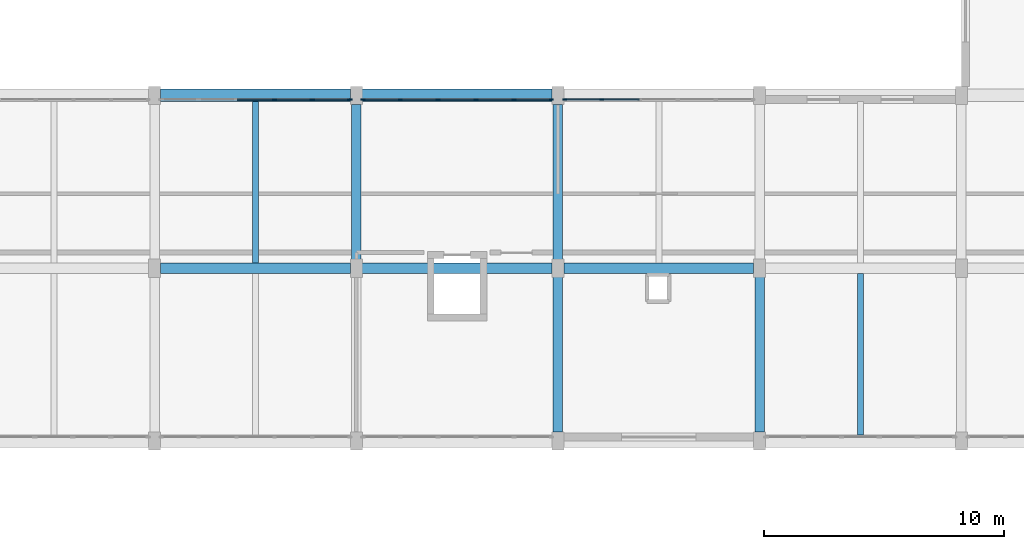
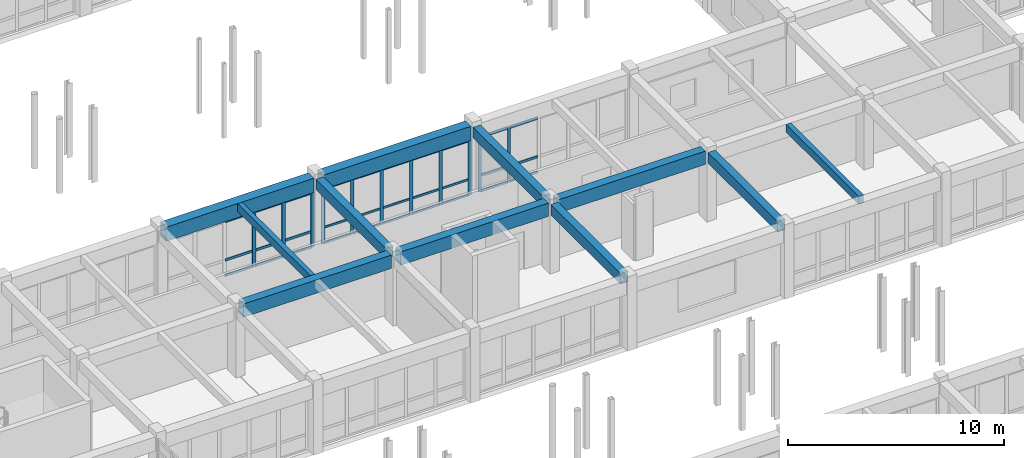
# One storey, part 72 of 147: 41 members, 11 beams, 3 elements without a shape of their own.
"""IFC4 building model written with IfcOpenShell, lengths in metres."""

from ifc_helpers import new_model, si_unit, direction, frame, origin, origin_2d, place, context, subcontext, project, spatial, rectangle, extrude, material, material_profile, profile_set, type_object, element, aggregate, save


model = new_model("IFC4")

# Units and contexts
model_context = context("Model", 3, precision=1e-05, world=origin(), true_north=direction((0.0, 1.0)))
body_context = subcontext(model_context, "Body", "Model", "MODEL_VIEW")
ifc_project = project(units=[si_unit("LENGTHUNIT", "METRE"), si_unit("AREAUNIT", "SQUARE_METRE"), si_unit("VOLUMEUNIT", "CUBIC_METRE"), si_unit("PLANEANGLEUNIT", "RADIAN"), si_unit("MASSUNIT", "GRAM", prefix="KILO")], contexts=[model_context])

# Site, building, storey
site_placement = place(None, origin())
site = spatial("IfcSite", under=ifc_project, at=site_placement, CompositionType="ELEMENT")
building_placement = place(site_placement, origin())
building = spatial("IfcBuilding", under=site, at=building_placement, Name="Malvenik Polytechnic", CompositionType="ELEMENT")
storey_placement = place(building_placement, frame((0.0, 0.0, 5.10009765625)))
storey = spatial("IfcBuildingStorey", under=building, at=storey_placement, Name="L01", CompositionType="ELEMENT", Elevation=5.10009765625)

# Curtain wall, members
ifc_material_1 = material(Name="Anodised aluminium 6060-T6", Category="aluminium")
curtain_wall_type = type_object("IfcCurtainWallType", Name="ARC-CW-CW-02", PredefinedType="NOTDEFINED", material=ifc_material_1)
curtain_wall_1_placement = place(storey_placement, origin())
curtain_wall_1 = element("IfcCurtainWall", 1, at=curtain_wall_1_placement, inside=storey, type_object=curtain_wall_type, Name="Unitised Curtain Wall CW-02 L01 #62", PredefinedType="NOTDEFINED")
ifc_material_2 = material(Name="Anodised aluminium", Category="aluminium")
ifc_material_profile_1 = material_profile(ifc_material_2, rectangle(XDim=0.06005859375, YDim=0.159912109375, at=origin_2d()), Name="ALU MULLION 60x160")
ifc_profile_set_1 = profile_set([ifc_material_profile_1], Name="Anodised aluminium")
member_type_1 = type_object("IfcMemberType", Name="ARC-CWM-160", PredefinedType="MULLION", material=ifc_profile_set_1)
member_1_placement = place(storey_placement, frame((109.47802734375, 93.429931640625, 0.0), z_axis=(0.0, 0.0, 1.0), x_axis=(0.0, 1.0, 0.0)))
member_1 = element("IfcMember", 2, at=member_1_placement, type_object=member_type_1, Name="CW-02 mullion 1", PredefinedType="MULLION", context=body_context, shape_type="SweptSolid", body=[
    extrude(rectangle(XDim=0.06005859375, YDim=0.159912109375, at=origin_2d()), origin(), (0.0, 0.0, 1.0), 3.10986328125),
])
member_2_placement = place(storey_placement, frame((111.02880859375, 93.429931640625, 0.0), z_axis=(0.0, 0.0, 1.0), x_axis=(0.0, 1.0, 0.0)))
member_2 = element("IfcMember", 3, at=member_2_placement, type_object=member_type_1, Name="CW-02 mullion 2", PredefinedType="MULLION", context=body_context, shape_type="SweptSolid", body=[
    extrude(rectangle(XDim=0.06005859375, YDim=0.159912109375, at=origin_2d()), origin(), (0.0, 0.0, 1.0), 3.10986328125),
])

curtain_wall_2_placement = place(storey_placement, origin())
curtain_wall_2 = element("IfcCurtainWall", 4, at=curtain_wall_2_placement, inside=storey, type_object=curtain_wall_type, Name="Unitised Curtain Wall CW-02 L01 #61", PredefinedType="NOTDEFINED")
ifc_material_profile_2 = material_profile(ifc_material_2, rectangle(XDim=0.06005859375, YDim=0.179931640625, at=origin_2d()), Name="ALU MULLION 60x180")
ifc_profile_set_2 = profile_set([ifc_material_profile_2], Name="Anodised aluminium")
member_type_2 = type_object("IfcMemberType", Name="ARC-CWM-180", PredefinedType="MULLION", material=ifc_profile_set_2)
member_3_placement = place(storey_placement, frame((101.077880859375, 93.429931640625, 0.0), z_axis=(0.0, 0.0, 1.0), x_axis=(0.0, 1.0, 0.0)))
member_3 = element("IfcMember", 5, at=member_3_placement, type_object=member_type_2, Name="CW-02 mullion 1", PredefinedType="MULLION", context=body_context, shape_type="SweptSolid", body=[
    extrude(rectangle(XDim=0.06005859375, YDim=0.179931640625, at=origin_2d()), origin(), (0.0, 0.0, 1.0), 3.10986328125),
])
member_4_placement = place(storey_placement, frame((102.62890625, 93.429931640625, 0.0), z_axis=(0.0, 0.0, 1.0), x_axis=(0.0, 1.0, 0.0)))
member_4 = element("IfcMember", 6, at=member_4_placement, type_object=member_type_2, Name="CW-02 mullion 2", PredefinedType="MULLION", context=body_context, shape_type="SweptSolid", body=[
    extrude(rectangle(XDim=0.06005859375, YDim=0.179931640625, at=origin_2d()), origin(), (0.0, 0.0, 1.0), 3.10986328125),
])
member_5_placement = place(storey_placement, frame((104.209716796875, 93.429931640625, 0.0), z_axis=(0.0, 0.0, 1.0), x_axis=(0.0, 1.0, 0.0)))
member_5 = element("IfcMember", 7, at=member_5_placement, type_object=member_type_2, Name="CW-02 mullion 3", PredefinedType="MULLION", context=body_context, shape_type="SweptSolid", body=[
    extrude(rectangle(XDim=0.06005859375, YDim=0.179931640625, at=origin_2d()), origin(), (0.0, 0.0, 1.0), 3.10986328125),
])
member_6_placement = place(storey_placement, frame((105.790283203125, 93.429931640625, 0.0), z_axis=(0.0, 0.0, 1.0), x_axis=(0.0, 1.0, 0.0)))
member_6 = element("IfcMember", 8, at=member_6_placement, type_object=member_type_2, Name="CW-02 mullion 4", PredefinedType="MULLION", context=body_context, shape_type="SweptSolid", body=[
    extrude(rectangle(XDim=0.06005859375, YDim=0.179931640625, at=origin_2d()), origin(), (0.0, 0.0, 1.0), 3.10986328125),
])
member_7_placement = place(storey_placement, frame((107.37109375, 93.429931640625, 0.0), z_axis=(0.0, 0.0, 1.0), x_axis=(0.0, 1.0, 0.0)))
member_7 = element("IfcMember", 9, at=member_7_placement, type_object=member_type_2, Name="CW-02 mullion 5", PredefinedType="MULLION", context=body_context, shape_type="SweptSolid", body=[
    extrude(rectangle(XDim=0.06005859375, YDim=0.179931640625, at=origin_2d()), origin(), (0.0, 0.0, 1.0), 3.10986328125),
])
member_8_placement = place(storey_placement, frame((108.922119140625, 93.429931640625, 0.0), z_axis=(0.0, 0.0, 1.0), x_axis=(0.0, 1.0, 0.0)))
member_8 = element("IfcMember", 10, at=member_8_placement, type_object=member_type_2, Name="CW-02 mullion 6", PredefinedType="MULLION", context=body_context, shape_type="SweptSolid", body=[
    extrude(rectangle(XDim=0.06005859375, YDim=0.179931640625, at=origin_2d()), origin(), (0.0, 0.0, 1.0), 3.10986328125),
])

curtain_wall_3_placement = place(storey_placement, origin())
curtain_wall_3 = element("IfcCurtainWall", 11, at=curtain_wall_3_placement, inside=storey, type_object=curtain_wall_type, Name="Unitised Curtain Wall CW-02 L01 #60", PredefinedType="NOTDEFINED")
ifc_material_profile_3 = material_profile(ifc_material_2, rectangle(XDim=0.06005859375, YDim=0.199951171875, at=origin_2d()), Name="ALU MULLION 60x200")
ifc_profile_set_3 = profile_set([ifc_material_profile_3], Name="Anodised aluminium")
member_type_3 = type_object("IfcMemberType", Name="ARC-CWM-200", PredefinedType="MULLION", material=ifc_profile_set_3)
member_9_placement = place(storey_placement, frame((97.390380859375, 93.429931640625, 0.0), z_axis=(0.0, 0.0, 1.0), x_axis=(0.0, 1.0, 0.0)))
member_9 = element("IfcMember", 12, at=member_9_placement, type_object=member_type_3, Name="CW-02 mullion 4", PredefinedType="MULLION", context=body_context, shape_type="SweptSolid", body=[
    extrude(rectangle(XDim=0.06005859375, YDim=0.199951171875, at=origin_2d()), origin(), (0.0, 0.0, 1.0), 3.10986328125),
])
member_10_placement = place(storey_placement, frame((98.97119140625, 93.429931640625, 0.0), z_axis=(0.0, 0.0, 1.0), x_axis=(0.0, 1.0, 0.0)))
member_10 = element("IfcMember", 13, at=member_10_placement, type_object=member_type_3, Name="CW-02 mullion 5", PredefinedType="MULLION", context=body_context, shape_type="SweptSolid", body=[
    extrude(rectangle(XDim=0.06005859375, YDim=0.199951171875, at=origin_2d()), origin(), (0.0, 0.0, 1.0), 3.10986328125),
])
member_11_placement = place(storey_placement, frame((100.52197265625, 93.429931640625, 0.0), z_axis=(0.0, 0.0, 1.0), x_axis=(0.0, 1.0, 0.0)))
member_11 = element("IfcMember", 14, at=member_11_placement, type_object=member_type_3, Name="CW-02 mullion 6", PredefinedType="MULLION", context=body_context, shape_type="SweptSolid", body=[
    extrude(rectangle(XDim=0.06005859375, YDim=0.199951171875, at=origin_2d()), origin(), (0.0, 0.0, 1.0), 3.10986328125),
])

# Member
ifc_material_profile_4 = material_profile(ifc_material_2, rectangle(XDim=0.06005859375, YDim=0.1201171875, at=origin_2d()), Name="ALU TRANSOM 60x120")
ifc_profile_set_4 = profile_set([ifc_material_profile_4], Name="Anodised aluminium")
member_type_4 = type_object("IfcMemberType", Name="ARC-CWT-120", PredefinedType="USERDEFINED", material=ifc_profile_set_4)
member_12_placement = place(storey_placement, frame((101.10791015625, 93.429931640625, 0.02978515625), z_axis=(1.0, 0.0, 0.0), x_axis=(0.0, 1.0, 0.0)))
member_12 = element("IfcMember", 15, at=member_12_placement, type_object=member_type_4, Name="CW-02 transom 1.1", ObjectType="TRANSOM", PredefinedType="USERDEFINED", context=body_context, shape_type="SweptSolid", body=[
    extrude(rectangle(XDim=0.06005859375, YDim=0.1201171875, at=origin_2d()), origin(), (0.0, 0.0, 1.0), 1.490966796875),
])

member_13_placement = place(storey_placement, frame((101.10791015625, 93.429931640625, 0.89990234375), z_axis=(1.0, 0.0, 0.0), x_axis=(0.0, 1.0, 0.0)))
member_13 = element("IfcMember", 16, at=member_13_placement, type_object=member_type_4, Name="CW-02 transom 1.2", ObjectType="TRANSOM", PredefinedType="USERDEFINED", context=body_context, shape_type="SweptSolid", body=[
    extrude(rectangle(XDim=0.06005859375, YDim=0.1201171875, at=origin_2d()), origin(), (0.0, 0.0, 1.0), 1.490966796875),
])

member_14_placement = place(storey_placement, frame((101.10791015625, 93.429931640625, 3.079833984375), z_axis=(1.0, 0.0, 0.0), x_axis=(0.0, 1.0, 0.0)))
member_14 = element("IfcMember", 17, at=member_14_placement, type_object=member_type_4, Name="CW-02 transom 1.3", ObjectType="TRANSOM", PredefinedType="USERDEFINED", context=body_context, shape_type="SweptSolid", body=[
    extrude(rectangle(XDim=0.06005859375, YDim=0.1201171875, at=origin_2d()), origin(), (0.0, 0.0, 1.0), 1.490966796875),
])

member_15_placement = place(storey_placement, frame((102.65869140625, 93.429931640625, 0.02978515625), z_axis=(1.0, 0.0, 0.0), x_axis=(0.0, 1.0, 0.0)))
member_15 = element("IfcMember", 18, at=member_15_placement, type_object=member_type_4, Name="CW-02 transom 2.1", ObjectType="TRANSOM", PredefinedType="USERDEFINED", context=body_context, shape_type="SweptSolid", body=[
    extrude(rectangle(XDim=0.06005859375, YDim=0.1201171875, at=origin_2d()), origin(), (0.0, 0.0, 1.0), 1.52099609375),
])

member_16_placement = place(storey_placement, frame((102.65869140625, 93.429931640625, 0.89990234375), z_axis=(1.0, 0.0, 0.0), x_axis=(0.0, 1.0, 0.0)))
member_16 = element("IfcMember", 19, at=member_16_placement, type_object=member_type_4, Name="CW-02 transom 2.2", ObjectType="TRANSOM", PredefinedType="USERDEFINED", context=body_context, shape_type="SweptSolid", body=[
    extrude(rectangle(XDim=0.06005859375, YDim=0.1201171875, at=origin_2d()), origin(), (0.0, 0.0, 1.0), 1.52099609375),
])

member_17_placement = place(storey_placement, frame((102.65869140625, 93.429931640625, 3.079833984375), z_axis=(1.0, 0.0, 0.0), x_axis=(0.0, 1.0, 0.0)))
member_17 = element("IfcMember", 20, at=member_17_placement, type_object=member_type_4, Name="CW-02 transom 2.3", ObjectType="TRANSOM", PredefinedType="USERDEFINED", context=body_context, shape_type="SweptSolid", body=[
    extrude(rectangle(XDim=0.06005859375, YDim=0.1201171875, at=origin_2d()), origin(), (0.0, 0.0, 1.0), 1.52099609375),
])

member_18_placement = place(storey_placement, frame((104.239501953125, 93.429931640625, 0.02978515625), z_axis=(1.0, 0.0, 0.0), x_axis=(0.0, 1.0, 0.0)))
member_18 = element("IfcMember", 21, at=member_18_placement, type_object=member_type_4, Name="CW-02 transom 3.1", ObjectType="TRANSOM", PredefinedType="USERDEFINED", context=body_context, shape_type="SweptSolid", body=[
    extrude(rectangle(XDim=0.06005859375, YDim=0.1201171875, at=origin_2d()), origin(), (0.0, 0.0, 1.0), 1.52099609375),
])

member_19_placement = place(storey_placement, frame((104.239501953125, 93.429931640625, 0.89990234375), z_axis=(1.0, 0.0, 0.0), x_axis=(0.0, 1.0, 0.0)))
member_19 = element("IfcMember", 22, at=member_19_placement, type_object=member_type_4, Name="CW-02 transom 3.2", ObjectType="TRANSOM", PredefinedType="USERDEFINED", context=body_context, shape_type="SweptSolid", body=[
    extrude(rectangle(XDim=0.06005859375, YDim=0.1201171875, at=origin_2d()), origin(), (0.0, 0.0, 1.0), 1.52099609375),
])

member_20_placement = place(storey_placement, frame((104.239501953125, 93.429931640625, 3.079833984375), z_axis=(1.0, 0.0, 0.0), x_axis=(0.0, 1.0, 0.0)))
member_20 = element("IfcMember", 23, at=member_20_placement, type_object=member_type_4, Name="CW-02 transom 3.3", ObjectType="TRANSOM", PredefinedType="USERDEFINED", context=body_context, shape_type="SweptSolid", body=[
    extrude(rectangle(XDim=0.06005859375, YDim=0.1201171875, at=origin_2d()), origin(), (0.0, 0.0, 1.0), 1.52099609375),
])

member_21_placement = place(storey_placement, frame((105.8203125, 93.429931640625, 0.02978515625), z_axis=(1.0, 0.0, 0.0), x_axis=(0.0, 1.0, 0.0)))
member_21 = element("IfcMember", 24, at=member_21_placement, type_object=member_type_4, Name="CW-02 transom 4.1", ObjectType="TRANSOM", PredefinedType="USERDEFINED", context=body_context, shape_type="SweptSolid", body=[
    extrude(rectangle(XDim=0.06005859375, YDim=0.1201171875, at=origin_2d()), origin(), (0.0, 0.0, 1.0), 1.52099609375),
])

member_22_placement = place(storey_placement, frame((105.8203125, 93.429931640625, 0.89990234375), z_axis=(1.0, 0.0, 0.0), x_axis=(0.0, 1.0, 0.0)))
member_22 = element("IfcMember", 25, at=member_22_placement, type_object=member_type_4, Name="CW-02 transom 4.2", ObjectType="TRANSOM", PredefinedType="USERDEFINED", context=body_context, shape_type="SweptSolid", body=[
    extrude(rectangle(XDim=0.06005859375, YDim=0.1201171875, at=origin_2d()), origin(), (0.0, 0.0, 1.0), 1.52099609375),
])

member_23_placement = place(storey_placement, frame((105.8203125, 93.429931640625, 3.079833984375), z_axis=(1.0, 0.0, 0.0), x_axis=(0.0, 1.0, 0.0)))
member_23 = element("IfcMember", 26, at=member_23_placement, type_object=member_type_4, Name="CW-02 transom 4.3", ObjectType="TRANSOM", PredefinedType="USERDEFINED", context=body_context, shape_type="SweptSolid", body=[
    extrude(rectangle(XDim=0.06005859375, YDim=0.1201171875, at=origin_2d()), origin(), (0.0, 0.0, 1.0), 1.52099609375),
])

member_24_placement = place(storey_placement, frame((107.401123046875, 93.429931640625, 0.02978515625), z_axis=(1.0, 0.0, 0.0), x_axis=(0.0, 1.0, 0.0)))
member_24 = element("IfcMember", 27, at=member_24_placement, type_object=member_type_4, Name="CW-02 transom 5.1", ObjectType="TRANSOM", PredefinedType="USERDEFINED", context=body_context, shape_type="SweptSolid", body=[
    extrude(rectangle(XDim=0.06005859375, YDim=0.1201171875, at=origin_2d()), origin(), (0.0, 0.0, 1.0), 1.490966796875),
])

member_25_placement = place(storey_placement, frame((107.401123046875, 93.429931640625, 0.89990234375), z_axis=(1.0, 0.0, 0.0), x_axis=(0.0, 1.0, 0.0)))
member_25 = element("IfcMember", 28, at=member_25_placement, type_object=member_type_4, Name="CW-02 transom 5.2", ObjectType="TRANSOM", PredefinedType="USERDEFINED", context=body_context, shape_type="SweptSolid", body=[
    extrude(rectangle(XDim=0.06005859375, YDim=0.1201171875, at=origin_2d()), origin(), (0.0, 0.0, 1.0), 1.490966796875),
])

member_26_placement = place(storey_placement, frame((107.401123046875, 93.429931640625, 3.079833984375), z_axis=(1.0, 0.0, 0.0), x_axis=(0.0, 1.0, 0.0)))
member_26 = element("IfcMember", 29, at=member_26_placement, type_object=member_type_4, Name="CW-02 transom 5.3", ObjectType="TRANSOM", PredefinedType="USERDEFINED", context=body_context, shape_type="SweptSolid", body=[
    extrude(rectangle(XDim=0.06005859375, YDim=0.1201171875, at=origin_2d()), origin(), (0.0, 0.0, 1.0), 1.490966796875),
])

aggregate(curtain_wall_2, [member_3, member_4, member_5, member_6, member_7, member_8, member_12, member_13, member_14, member_15, member_16, member_17, member_18, member_19, member_20, member_21, member_22, member_23, member_24, member_25, member_26])

ifc_material_profile_5 = material_profile(ifc_material_2, rectangle(XDim=0.06005859375, YDim=0.139892578125, at=origin_2d()), Name="ALU TRANSOM 60x140")
ifc_profile_set_5 = profile_set([ifc_material_profile_5], Name="Anodised aluminium")
member_type_5 = type_object("IfcMemberType", Name="ARC-CWT-140", PredefinedType="USERDEFINED", material=ifc_profile_set_5)
member_27_placement = place(storey_placement, frame((95.839599609375, 93.429931640625, 0.02978515625), z_axis=(1.0, 0.0, 0.0), x_axis=(0.0, 1.0, 0.0)))
member_27 = element("IfcMember", 30, at=member_27_placement, type_object=member_type_5, Name="CW-02 transom 3.1", ObjectType="TRANSOM", PredefinedType="USERDEFINED", context=body_context, shape_type="SweptSolid", body=[
    extrude(rectangle(XDim=0.06005859375, YDim=0.139892578125, at=origin_2d()), origin(), (0.0, 0.0, 1.0), 1.520751953125),
])

member_28_placement = place(storey_placement, frame((95.839599609375, 93.429931640625, 0.89990234375), z_axis=(1.0, 0.0, 0.0), x_axis=(0.0, 1.0, 0.0)))
member_28 = element("IfcMember", 31, at=member_28_placement, type_object=member_type_5, Name="CW-02 transom 3.2", ObjectType="TRANSOM", PredefinedType="USERDEFINED", context=body_context, shape_type="SweptSolid", body=[
    extrude(rectangle(XDim=0.06005859375, YDim=0.139892578125, at=origin_2d()), origin(), (0.0, 0.0, 1.0), 1.520751953125),
])

member_29_placement = place(storey_placement, frame((95.839599609375, 93.429931640625, 3.079833984375), z_axis=(1.0, 0.0, 0.0), x_axis=(0.0, 1.0, 0.0)))
member_29 = element("IfcMember", 32, at=member_29_placement, type_object=member_type_5, Name="CW-02 transom 3.3", ObjectType="TRANSOM", PredefinedType="USERDEFINED", context=body_context, shape_type="SweptSolid", body=[
    extrude(rectangle(XDim=0.06005859375, YDim=0.139892578125, at=origin_2d()), origin(), (0.0, 0.0, 1.0), 1.520751953125),
])

member_30_placement = place(storey_placement, frame((97.42041015625, 93.429931640625, 0.02978515625), z_axis=(1.0, 0.0, 0.0), x_axis=(0.0, 1.0, 0.0)))
member_30 = element("IfcMember", 33, at=member_30_placement, type_object=member_type_5, Name="CW-02 transom 4.1", ObjectType="TRANSOM", PredefinedType="USERDEFINED", context=body_context, shape_type="SweptSolid", body=[
    extrude(rectangle(XDim=0.06005859375, YDim=0.139892578125, at=origin_2d()), origin(), (0.0, 0.0, 1.0), 1.520751953125),
])

member_31_placement = place(storey_placement, frame((97.42041015625, 93.429931640625, 0.89990234375), z_axis=(1.0, 0.0, 0.0), x_axis=(0.0, 1.0, 0.0)))
member_31 = element("IfcMember", 34, at=member_31_placement, type_object=member_type_5, Name="CW-02 transom 4.2", ObjectType="TRANSOM", PredefinedType="USERDEFINED", context=body_context, shape_type="SweptSolid", body=[
    extrude(rectangle(XDim=0.06005859375, YDim=0.139892578125, at=origin_2d()), origin(), (0.0, 0.0, 1.0), 1.520751953125),
])

member_32_placement = place(storey_placement, frame((97.42041015625, 93.429931640625, 3.079833984375), z_axis=(1.0, 0.0, 0.0), x_axis=(0.0, 1.0, 0.0)))
member_32 = element("IfcMember", 35, at=member_32_placement, type_object=member_type_5, Name="CW-02 transom 4.3", ObjectType="TRANSOM", PredefinedType="USERDEFINED", context=body_context, shape_type="SweptSolid", body=[
    extrude(rectangle(XDim=0.06005859375, YDim=0.139892578125, at=origin_2d()), origin(), (0.0, 0.0, 1.0), 1.520751953125),
])

member_33_placement = place(storey_placement, frame((99.001220703125, 93.429931640625, 0.02978515625), z_axis=(1.0, 0.0, 0.0), x_axis=(0.0, 1.0, 0.0)))
member_33 = element("IfcMember", 36, at=member_33_placement, type_object=member_type_5, Name="CW-02 transom 5.1", ObjectType="TRANSOM", PredefinedType="USERDEFINED", context=body_context, shape_type="SweptSolid", body=[
    extrude(rectangle(XDim=0.06005859375, YDim=0.139892578125, at=origin_2d()), origin(), (0.0, 0.0, 1.0), 1.49072265625),
])

member_34_placement = place(storey_placement, frame((99.001220703125, 93.429931640625, 0.89990234375), z_axis=(1.0, 0.0, 0.0), x_axis=(0.0, 1.0, 0.0)))
member_34 = element("IfcMember", 37, at=member_34_placement, type_object=member_type_5, Name="CW-02 transom 5.2", ObjectType="TRANSOM", PredefinedType="USERDEFINED", context=body_context, shape_type="SweptSolid", body=[
    extrude(rectangle(XDim=0.06005859375, YDim=0.139892578125, at=origin_2d()), origin(), (0.0, 0.0, 1.0), 1.49072265625),
])

member_35_placement = place(storey_placement, frame((99.001220703125, 93.429931640625, 3.079833984375), z_axis=(1.0, 0.0, 0.0), x_axis=(0.0, 1.0, 0.0)))
member_35 = element("IfcMember", 38, at=member_35_placement, type_object=member_type_5, Name="CW-02 transom 5.3", ObjectType="TRANSOM", PredefinedType="USERDEFINED", context=body_context, shape_type="SweptSolid", body=[
    extrude(rectangle(XDim=0.06005859375, YDim=0.139892578125, at=origin_2d()), origin(), (0.0, 0.0, 1.0), 1.49072265625),
])

aggregate(curtain_wall_3, [member_9, member_10, member_11, member_27, member_28, member_29, member_30, member_31, member_32, member_33, member_34, member_35])

member_36_placement = place(storey_placement, frame((109.508056640625, 93.429931640625, 0.02978515625), z_axis=(1.0, 0.0, 0.0), x_axis=(0.0, 1.0, 0.0)))
member_36 = element("IfcMember", 39, at=member_36_placement, type_object=member_type_5, Name="CW-02 transom 1.1", ObjectType="TRANSOM", PredefinedType="USERDEFINED", context=body_context, shape_type="SweptSolid", body=[
    extrude(rectangle(XDim=0.06005859375, YDim=0.139892578125, at=origin_2d()), origin(), (0.0, 0.0, 1.0), 1.49072265625),
])

member_37_placement = place(storey_placement, frame((109.508056640625, 93.429931640625, 0.89990234375), z_axis=(1.0, 0.0, 0.0), x_axis=(0.0, 1.0, 0.0)))
member_37 = element("IfcMember", 40, at=member_37_placement, type_object=member_type_5, Name="CW-02 transom 1.2", ObjectType="TRANSOM", PredefinedType="USERDEFINED", context=body_context, shape_type="SweptSolid", body=[
    extrude(rectangle(XDim=0.06005859375, YDim=0.139892578125, at=origin_2d()), origin(), (0.0, 0.0, 1.0), 1.49072265625),
])

member_38_placement = place(storey_placement, frame((109.508056640625, 93.429931640625, 3.079833984375), z_axis=(1.0, 0.0, 0.0), x_axis=(0.0, 1.0, 0.0)))
member_38 = element("IfcMember", 41, at=member_38_placement, type_object=member_type_5, Name="CW-02 transom 1.3", ObjectType="TRANSOM", PredefinedType="USERDEFINED", context=body_context, shape_type="SweptSolid", body=[
    extrude(rectangle(XDim=0.06005859375, YDim=0.139892578125, at=origin_2d()), origin(), (0.0, 0.0, 1.0), 1.49072265625),
])

member_39_placement = place(storey_placement, frame((111.058837890625, 93.429931640625, 0.02978515625), z_axis=(1.0, 0.0, 0.0), x_axis=(0.0, 1.0, 0.0)))
member_39 = element("IfcMember", 42, at=member_39_placement, type_object=member_type_5, Name="CW-02 transom 2.1", ObjectType="TRANSOM", PredefinedType="USERDEFINED", context=body_context, shape_type="SweptSolid", body=[
    extrude(rectangle(XDim=0.06005859375, YDim=0.139892578125, at=origin_2d()), origin(), (0.0, 0.0, 1.0), 1.520751953125),
])

member_40_placement = place(storey_placement, frame((111.058837890625, 93.429931640625, 0.89990234375), z_axis=(1.0, 0.0, 0.0), x_axis=(0.0, 1.0, 0.0)))
member_40 = element("IfcMember", 43, at=member_40_placement, type_object=member_type_5, Name="CW-02 transom 2.2", ObjectType="TRANSOM", PredefinedType="USERDEFINED", context=body_context, shape_type="SweptSolid", body=[
    extrude(rectangle(XDim=0.06005859375, YDim=0.139892578125, at=origin_2d()), origin(), (0.0, 0.0, 1.0), 1.520751953125),
])

member_41_placement = place(storey_placement, frame((111.058837890625, 93.429931640625, 3.079833984375), z_axis=(1.0, 0.0, 0.0), x_axis=(0.0, 1.0, 0.0)))
member_41 = element("IfcMember", 44, at=member_41_placement, type_object=member_type_5, Name="CW-02 transom 2.3", ObjectType="TRANSOM", PredefinedType="USERDEFINED", context=body_context, shape_type="SweptSolid", body=[
    extrude(rectangle(XDim=0.06005859375, YDim=0.139892578125, at=origin_2d()), origin(), (0.0, 0.0, 1.0), 1.520751953125),
])

aggregate(curtain_wall_1, [member_1, member_2, member_36, member_37, member_38, member_39, member_40, member_41])

# Beams
ifc_material_3 = material(Name="Concrete C35/45", Category="concrete")
ifc_material_profile_6 = material_profile(ifc_material_3, rectangle(XDim=0.449951171875, YDim=0.75, at=origin_2d()), Name="RC BM 450x750")
ifc_profile_set_6 = profile_set([ifc_material_profile_6], Name="Concrete C35/45")
beam_type_1 = type_object("IfcBeamType", Name="STR-BM-B-03", PredefinedType="BEAM", material=ifc_profile_set_6)
beam_1_placement = place(storey_placement, frame((92.64794921875, 86.39990234375, 3.544921875), z_axis=(1.0, 0.0, 0.0), x_axis=(0.0, 1.0, 0.0)))
element("IfcBeam", 45, at=beam_1_placement, inside=storey, type_object=beam_type_1, Name="Primary Beam B-03 L01 #1064", PredefinedType="BEAM", context=body_context, shape_type="SweptSolid", body=[
    extrude(rectangle(XDim=0.449951171875, YDim=0.75, at=origin_2d()), origin(), (0.0, 0.0, 1.0), 7.904052734375),
])
beam_2_placement = place(storey_placement, frame((101.048095703125, 86.39990234375, 3.544921875), z_axis=(1.0, 0.0, 0.0), x_axis=(0.0, 1.0, 0.0)))
element("IfcBeam", 46, at=beam_2_placement, inside=storey, type_object=beam_type_1, Name="Primary Beam B-03 L01 #1065", PredefinedType="BEAM", context=body_context, shape_type="SweptSolid", body=[
    extrude(rectangle(XDim=0.449951171875, YDim=0.75, at=origin_2d()), origin(), (0.0, 0.0, 1.0), 7.90380859375),
])
beam_3_placement = place(storey_placement, frame((109.447998046875, 86.39990234375, 3.544921875), z_axis=(1.0, 0.0, 0.0), x_axis=(0.0, 1.0, 0.0)))
element("IfcBeam", 47, at=beam_3_placement, inside=storey, type_object=beam_type_1, Name="Primary Beam B-03 L01 #1066", PredefinedType="BEAM", context=body_context, shape_type="SweptSolid", body=[
    extrude(rectangle(XDim=0.449951171875, YDim=0.75, at=origin_2d()), origin(), (0.0, 0.0, 1.0), 7.904052734375),
])
ifc_material_profile_7 = material_profile(ifc_material_3, rectangle(XDim=0.39990234375, YDim=0.60009765625, at=origin_2d()), Name="RC BM 400x600")
ifc_profile_set_7 = profile_set([ifc_material_profile_7], Name="Concrete C35/45")
beam_type_2 = type_object("IfcBeamType", Name="STR-BM-B-06", PredefinedType="BEAM", material=ifc_profile_set_7)
for number, where, z_axis, x_axis, name in (
    (48, (100.800048828125, 86.77294921875, 3.619873046875), (0.0, 1.0, 0.0), (-1.0, 0.0, 0.0), "Transverse Beam B-06 L01 #1210"),
    (49, (109.199951171875, 79.572998046875, 3.619873046875), (0.0, 1.0, 0.0), (-1.0, 0.0, 0.0), "Transverse Beam B-06 L01 #1213"),
    (50, (109.199951171875, 86.77294921875, 3.619873046875), (0.0, 1.0, 0.0), (-1.0, 0.0, 0.0), "Transverse Beam B-06 L01 #1214"),
    (51, (117.60009765625, 79.572998046875, 3.619873046875), (0.0, 1.0, 0.0), (-1.0, 0.0, 0.0), "Transverse Beam B-06 L01 #1224"),
):
    element("IfcBeam", number, at=place(storey_placement, frame(where, z_axis=z_axis, x_axis=x_axis)), inside=storey, type_object=beam_type_2, Name=name, PredefinedType="BEAM", context=body_context, shape_type="SweptSolid", body=[
        extrude(rectangle(XDim=0.39990234375, YDim=0.60009765625, at=origin_2d()), origin(), (0.0, 0.0, 1.0), 6.4541015625),
    ])
ifc_material_4 = material(Name="Concrete C30/37", Category="concrete")
ifc_material_profile_8 = material_profile(ifc_material_4, rectangle(XDim=0.25, YDim=0.449951171875, at=origin_2d()), Name="RC JST 250x450")
ifc_profile_set_8 = profile_set([ifc_material_profile_8], Name="Concrete C30/37")
beam_type_3 = type_object("IfcBeamType", Name="STR-BM-J-02", PredefinedType="JOIST", material=ifc_profile_set_8)
for number, where, z_axis, x_axis, name in (
    (52, (96.60009765625, 86.623046875, 3.69482421875), (0.0, 1.0, 0.0), (-1.0, 0.0, 0.0), "Secondary Rib Joist J-02 L01 #1305"),
    (53, (121.800048828125, 79.4580078125, 3.69482421875), (0.0, 1.0, 0.0), (-1.0, 0.0, 0.0), "Secondary Rib Joist J-02 L01 #1316"),
):
    element("IfcBeam", number, at=place(storey_placement, frame(where, z_axis=z_axis, x_axis=x_axis)), inside=storey, type_object=beam_type_3, Name=name, PredefinedType="JOIST", context=body_context, shape_type="SweptSolid", body=[
        extrude(rectangle(XDim=0.25, YDim=0.449951171875, at=origin_2d()), origin(), (0.0, 0.0, 1.0), 6.718994140625),
    ])
ifc_material_5 = material(Name="Precast concrete C40/50", Category="concrete")
ifc_material_profile_9 = material_profile(ifc_material_5, rectangle(XDim=0.52001953125, YDim=0.800048828125, at=origin_2d()), Name="PC SPN 520x800")
ifc_profile_set_9 = profile_set([ifc_material_profile_9], Name="Precast concrete C40/50")
beam_type_4 = type_object("IfcBeamType", Name="STR-BM-SP-01", PredefinedType="SPANDREL", material=ifc_profile_set_9)
beam_4_placement = place(storey_placement, frame((92.64794921875, 93.60009765625, 3.52001953125), z_axis=(1.0, 0.0, 0.0), x_axis=(0.0, 1.0, 0.0)))
element("IfcBeam", 54, at=beam_4_placement, inside=storey, type_object=beam_type_4, Name="Primary Beam SP-01 L01 #1080", PredefinedType="SPANDREL", context=body_context, shape_type="SweptSolid", body=[
    extrude(rectangle(XDim=0.52001953125, YDim=0.800048828125, at=origin_2d()), origin(), (0.0, 0.0, 1.0), 7.904052734375),
])
beam_5_placement = place(storey_placement, frame((101.048095703125, 93.60009765625, 3.52001953125), z_axis=(1.0, 0.0, 0.0), x_axis=(0.0, 1.0, 0.0)))
element("IfcBeam", 55, at=beam_5_placement, inside=storey, type_object=beam_type_4, Name="Primary Beam SP-01 L01 #1081", PredefinedType="SPANDREL", context=body_context, shape_type="SweptSolid", body=[
    extrude(rectangle(XDim=0.52001953125, YDim=0.800048828125, at=origin_2d()), origin(), (0.0, 0.0, 1.0), 7.90380859375),
])

save(model, "model.ifc")
